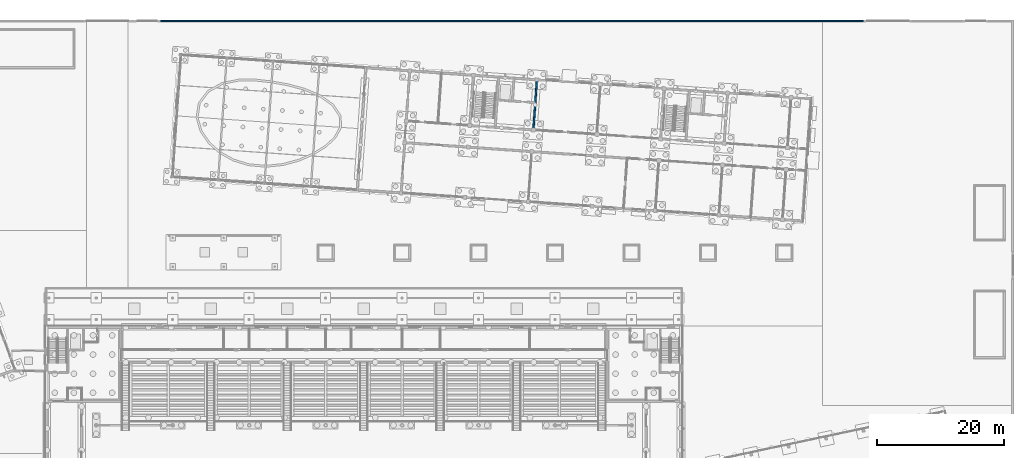
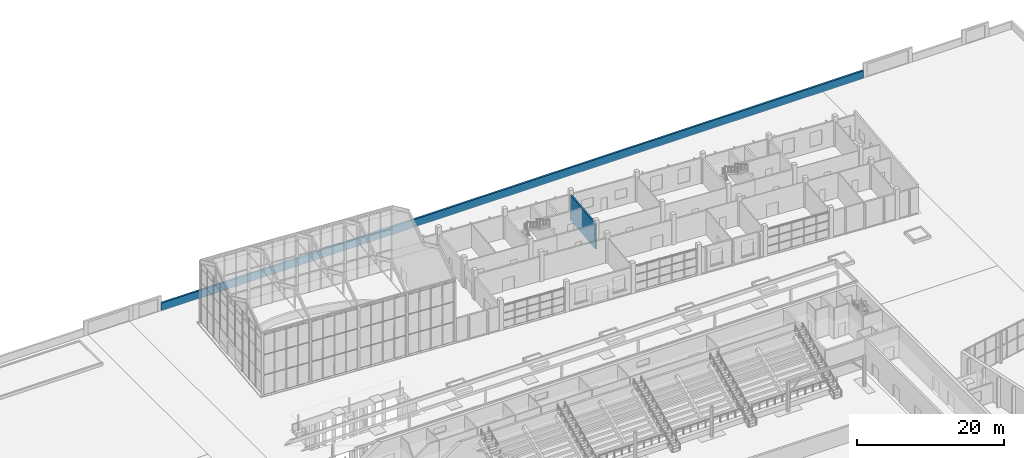
# One storey, part 110 of 157: 2 walls.
"""IFC4 building model written with IfcOpenShell, lengths in metres."""

from ifc_helpers import new_model, si_unit, direction, frame, frame_2d, origin, place, context, subcontext, project, spatial, rectangle, extrude, material, layer, layer_set, type_object, element, save


model = new_model("IFC4")

# Units and contexts
model_context = context("Model", 3, precision=1e-05, world=origin(), true_north=direction((0.0, 1.0)))
body_context = subcontext(model_context, "Body", "Model", "MODEL_VIEW")
ifc_project = project(units=[si_unit("LENGTHUNIT", "METRE"), si_unit("AREAUNIT", "SQUARE_METRE"), si_unit("VOLUMEUNIT", "CUBIC_METRE"), si_unit("PLANEANGLEUNIT", "RADIAN"), si_unit("MASSUNIT", "GRAM", prefix="KILO")], contexts=[model_context])

# Site, building, storey
site_placement = place(None, origin())
site = spatial("IfcSite", under=ifc_project, at=site_placement, CompositionType="ELEMENT")
building_placement = place(site_placement, origin())
building = spatial("IfcBuilding", under=site, at=building_placement, Name="Windward Yard Aquatics Centre", CompositionType="ELEMENT")
storey_placement = place(building_placement, origin())
storey = spatial("IfcBuildingStorey", under=building, at=storey_placement, Name="L00", CompositionType="ELEMENT", Elevation=0.0)

# Walls
ifc_material_1 = material(Name="Concrete C40/50", Category="concrete")
ifc_layer_1 = layer(ifc_material_1, 0.25)
ifc_layer_set_1 = layer_set([ifc_layer_1], Name="W RC core wall 250 Concrete C40/50")
wall_type_1 = type_object("IfcWallType", Name="W RC core wall 250 Concrete C40/50", PredefinedType="SOLIDWALL", material=ifc_layer_set_1)
wall_1_placement = place(storey_placement, frame((128.602783203125, 126.742431640625, 0.0), z_axis=(0.0, 0.0, 1.0), x_axis=(0.0697491702, 0.997564560947, 0.0)))
element("IfcWall", 1, at=wall_1_placement, inside=storey, type_object=wall_type_1, Name="W.WL.L00.007", PredefinedType="SOLIDWALL", context=body_context, shape_type="SweptSolid", body=[
    extrude(rectangle(XDim=7.900146484375, YDim=0.25, at=frame_2d((3.9501953125, 0.0))), origin(), (0.0, 0.0, 1.0), 4.169921875),
])
ifc_material_2 = material(Name="Concrete C30/37", Category="concrete")
ifc_layer_2 = layer(ifc_material_2, 0.300048828125)
ifc_layer_set_2 = layer_set([ifc_layer_2], Name="X Boundary Wall Concrete C30/37 300 x 1200")
wall_type_2 = type_object("IfcWallType", Name="X Boundary Wall Concrete C30/37 300 x 1200", PredefinedType="SOLIDWALL", material=ifc_layer_set_2)
wall_2_placement = place(storey_placement, frame((70.10009765625, 143.85009765625, -0.10009765625), z_axis=(0.0, 0.0, 1.0), x_axis=(1.0, 0.0, 0.0)))
element("IfcWall", 2, at=wall_2_placement, inside=storey, type_object=wall_type_2, Name="North street boundary wall", PredefinedType="SOLIDWALL", context=body_context, shape_type="SweptSolid", body=[
    extrude(rectangle(XDim=110.2998046875, YDim=0.300048828125, at=frame_2d((55.14990234375, 0.0))), origin(), (0.0, 0.0, 1.0), 1.300048828125),
])

save(model, "model.ifc")
